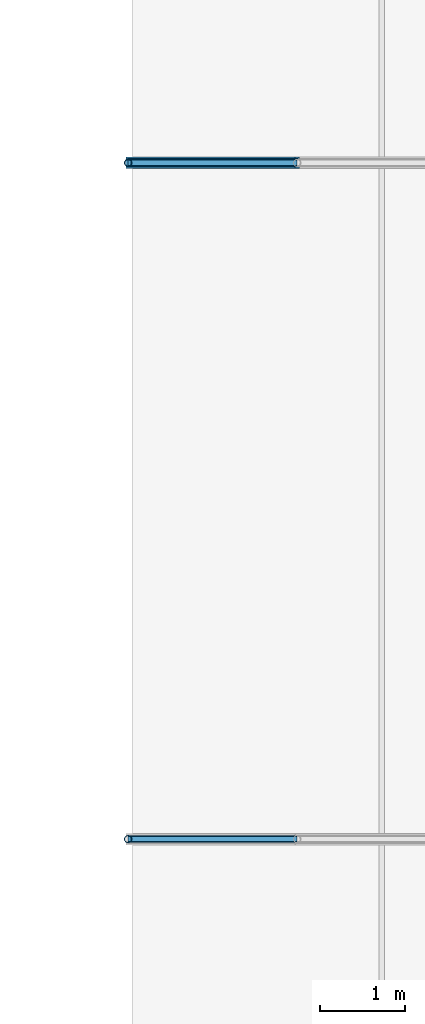
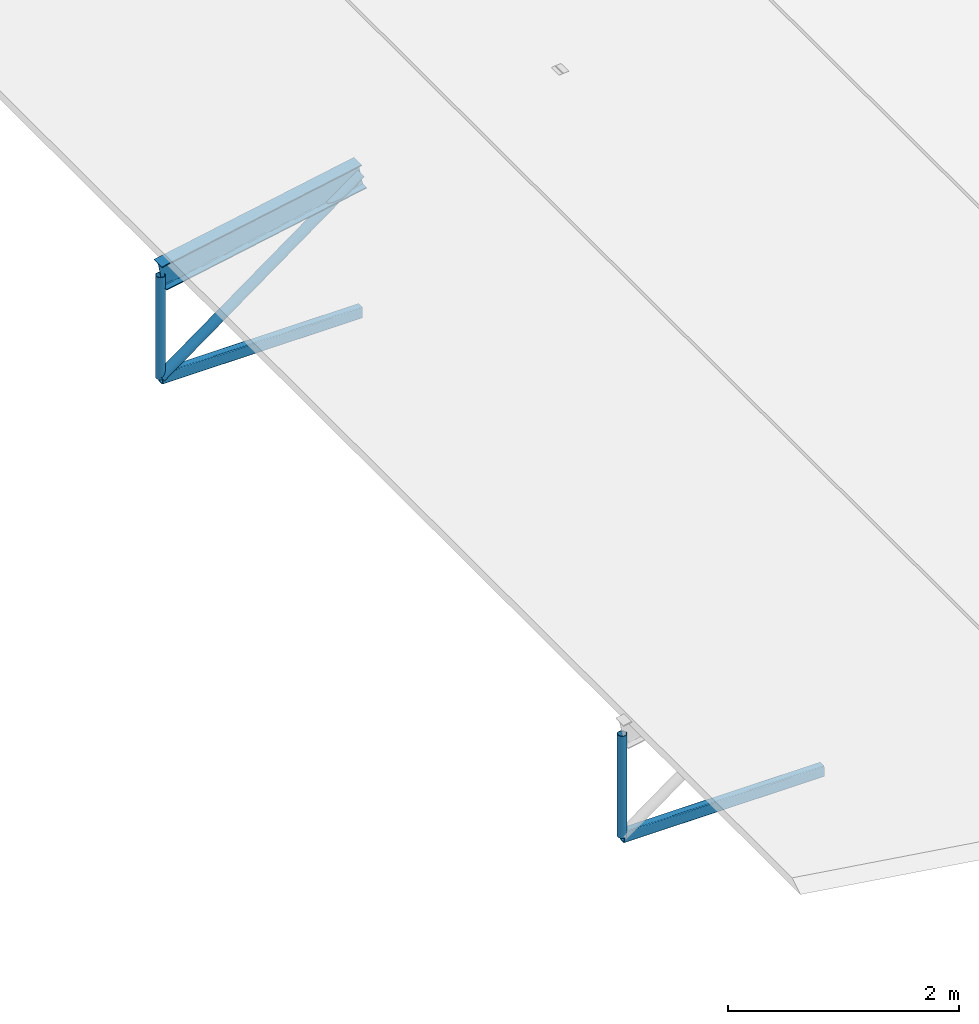
# One storey, part 35 of 54: 6 members.
"""IFC4 building model written with IfcOpenShell, lengths in metres."""

import ifcopenshell
import ifcopenshell.guid

model = None  # the IFC model being written
_history = None  # IfcOwnerHistory: only IFC2X3 demands one
_inside = {}  # id of a spatial element -> (the spatial element, [elements in it])
_under = {}  # id of a project, library or spatial element -> (it, [spatial elements below it])
_declared = {}  # id of a project -> (the project, [libraries it declares])
_typed = {}  # id of a type object -> (the type object, [elements of that type])
_made_of = {}  # id of a material, layer set ... -> (it, [elements and type objects made of it])


def new_model(schema):
    """Start an empty IFC model of exactly this schema.

    Asked for "IFC4X3", IfcOpenShell would pick the latest addendum, in which some entities
    have other attributes; the version numbers below select the first issue.
    IFC2X3 requires an IfcOwnerHistory on every rooted entity: one is made here for all.
    """
    global model, _history
    if schema == "IFC4X3":
        model = ifcopenshell.file(schema_version=(4, 3, 0, 0))
    else:
        model = ifcopenshell.file(schema=schema)
    _inside.clear()
    _under.clear()
    _declared.clear()
    _typed.clear()
    _made_of.clear()
    _history = None
    if model.schema == "IFC2X3":
        org = make("IfcOrganization", Name="unknown")
        user = make(
            "IfcPersonAndOrganization",
            ThePerson=make("IfcPerson", FamilyName="unknown"),
            TheOrganization=org,
        )
        app = make(
            "IfcApplication",
            ApplicationDeveloper=org,
            Version="unknown",
            ApplicationFullName="unknown",
            ApplicationIdentifier="unknown",
        )
        _history = make(
            "IfcOwnerHistory",
            OwningUser=user,
            OwningApplication=app,
            ChangeAction="ADDED",
            CreationDate=0,
        )
    return model


def make(cls, **values):
    """One entity of the class cls with the attributes given. An attribute that is None is left unset."""
    return model.create_entity(
        cls, **{name: value for name, value in values.items() if value is not None}
    )


def rooted(cls, **values):
    """An entity with a GlobalId (a new one), such as an element, a storey or a relation."""
    return make(cls, GlobalId=ifcopenshell.guid.new(), OwnerHistory=_history, **values)


def si_unit(unit_type, name, prefix=None):
    """IfcSIUnit, for example si_unit("LENGTHUNIT", "METRE", prefix="MILLI")."""
    return make("IfcSIUnit", UnitType=unit_type, Prefix=prefix, Name=name)


def derived_unit(unit_type, elements):
    """IfcDerivedUnit: a product of units, each with its exponent."""
    return make(
        "IfcDerivedUnit",
        Elements=[
            make("IfcDerivedUnitElement", Unit=unit, Exponent=power)
            for unit, power in elements
        ],
        UnitType=unit_type,
    )


def assignment(units):
    """IfcUnitAssignment: the units of a project."""
    return None if units is None else make("IfcUnitAssignment", Units=units)


def point(xyz):
    """IfcCartesianPoint."""
    return None if xyz is None else make("IfcCartesianPoint", Coordinates=xyz)


def direction(xyz):
    """IfcDirection."""
    return None if xyz is None else make("IfcDirection", DirectionRatios=xyz)


def frame(location, z_axis=None, x_axis=None):
    """IfcAxis2Placement3D, a coordinate frame: its origin and axes. An axis left out is left unset."""
    return make(
        "IfcAxis2Placement3D",
        Location=point(location),
        Axis=direction(z_axis),
        RefDirection=direction(x_axis),
    )


def frame_2d(location, x_axis=None):
    """IfcAxis2Placement2D, a coordinate frame in the plane: its origin and x axis."""
    return make(
        "IfcAxis2Placement2D", Location=point(location), RefDirection=direction(x_axis)
    )


def origin():
    """The frame at (0, 0, 0) with its axes left unset."""
    return frame((0.0, 0.0, 0.0))


def origin_2d():
    """The frame at (0, 0) in the plane with its x axis left unset."""
    return frame_2d((0.0, 0.0))


def place(relative_to, where):
    """IfcLocalPlacement: puts the frame where relative to a parent placement (None: the world)."""
    return make(
        "IfcLocalPlacement", PlacementRelTo=relative_to, RelativePlacement=where
    )


def context(
    kind, dimensions, precision=None, world=None, true_north=None, identifier=None
):
    """IfcGeometricRepresentationContext, for example the 3D "Model" context."""
    return make(
        "IfcGeometricRepresentationContext",
        ContextIdentifier=identifier,
        ContextType=kind,
        CoordinateSpaceDimension=dimensions,
        Precision=precision,
        WorldCoordinateSystem=world,
        TrueNorth=true_north,
    )


def subcontext(parent, identifier, kind, view, scale=None):
    """IfcGeometricRepresentationSubContext, for example "Body" below "Model"."""
    return make(
        "IfcGeometricRepresentationSubContext",
        ContextIdentifier=identifier,
        ContextType=kind,
        ParentContext=parent,
        TargetScale=scale,
        TargetView=view,
    )


def project(units=None, contexts=None):
    """IfcProject with its units and contexts."""
    return rooted(
        "IfcProject",
        Name="project",
        RepresentationContexts=contexts,
        UnitsInContext=assignment(units),
    )


def spatial(cls, under=None, at=None, **own):
    """A site, building, storey or space (cls), placed at a placement, below another one or the project."""
    s = rooted(cls, ObjectPlacement=at, **own)
    if under is not None:
        _under.setdefault(under.id(), (under, []))[1].append(s)
    return s


def profile(cls, at=None, kind="AREA", **sizes):
    """A parametric profile (cls). Its sizes go by their IFC names, for example OverallWidth=200.0."""
    return make(cls, ProfileType=kind, Position=at, **sizes)


def hollow_rectangle(**sizes):
    """IfcRectangleHollowProfileDef."""
    return profile("IfcRectangleHollowProfileDef", **sizes)


def hollow_circle(**sizes):
    """IfcCircleHollowProfileDef."""
    return profile("IfcCircleHollowProfileDef", **sizes)


def i_section(**sizes):
    """IfcIShapeProfileDef."""
    return profile("IfcIShapeProfileDef", **sizes)


def extrude(swept, where, along, depth):
    """IfcExtrudedAreaSolid: the profile swept, set in the frame where, extruded along a direction by depth."""
    return make(
        "IfcExtrudedAreaSolid",
        SweptArea=swept,
        Position=where,
        ExtrudedDirection=direction(along),
        Depth=depth,
    )


def shape(context_of_items, identifier, shape_type, items):
    """IfcShapeRepresentation: the items that make up one representation, for example the "Body"."""
    return make(
        "IfcShapeRepresentation",
        ContextOfItems=context_of_items,
        RepresentationIdentifier=identifier,
        RepresentationType=shape_type,
        Items=items,
    )


def material(Name=None, Category=None):
    """IfcMaterial."""
    return make("IfcMaterial", Name=Name, Category=Category)


def material_profile(
    of_material, cross_section, Name=None, Category=None, Priority=None
):
    """IfcMaterialProfile: a cross section and its material."""
    return make(
        "IfcMaterialProfile",
        Name=Name,
        Material=of_material,
        Profile=cross_section,
        Priority=Priority,
        Category=Category,
    )


def profile_set(profiles, Name=None, composite=None):
    """IfcMaterialProfileSet."""
    return make(
        "IfcMaterialProfileSet",
        Name=Name,
        MaterialProfiles=profiles,
        CompositeProfile=composite,
    )


def made_of(thing, what):
    """Note that an element or type object is made of a material, layer set ...; save() writes the relation."""
    if what is not None:
        _made_of.setdefault(what.id(), (what, []))[1].append(thing)
    return thing


def type_object(cls, material=None, **own):
    """A type object (cls), such as IfcWallType, which elements share."""
    return made_of(rooted(cls, **own), material)


def element(
    cls,
    number,
    at=None,
    inside=None,
    cuts=None,
    type_object=None,
    material=None,
    context=None,
    identifier="Body",
    shape_type=None,
    held_by="IfcProductDefinitionShape",
    body=None,
    shapes=None,
    **own,
):
    """One element of the class cls, such as IfcWall. Its Tag is "e" and its number.

    at: its placement. inside: the storey or other place that contains it. cuts: it is an
    opening in that element (IfcRelVoidsElement). A single representation is given by context,
    identifier, shape_type and body (its items); several are given by shapes. held_by: the class
    of the entity that holds the representations. save() writes the other relations.
    """
    e = rooted(cls, Tag="e%d" % number, ObjectPlacement=at, **own)
    if body is not None:
        shapes = [shape(context, identifier, shape_type, body)]
    if shapes is not None:
        e.Representation = make(held_by, Representations=shapes)
    if inside is not None:
        _inside.setdefault(inside.id(), (inside, []))[1].append(e)
    if cuts is not None:
        rooted(
            "IfcRelVoidsElement", RelatingBuildingElement=cuts, RelatedOpeningElement=e
        )
    if type_object is not None:
        _typed.setdefault(type_object.id(), (type_object, []))[1].append(e)
    return made_of(e, material)


def aggregate(whole, parts):
    """IfcRelAggregates: a whole, such as a stair, and the parts it consists of."""
    return rooted("IfcRelAggregates", RelatingObject=whole, RelatedObjects=parts)


def save(model, path):
    """Write the relations noted so far, then the file.

    IfcRelAggregates (storeys below a building ...), IfcRelContainedInSpatialStructure (elements
    in a storey), IfcRelDefinesByType, IfcRelAssociatesMaterial and IfcRelDeclares: one each for
    every whole, place, type object, material and project.
    """
    for whole, parts in _under.values():
        aggregate(whole, parts)
    for where, things in _inside.values():
        rooted(
            "IfcRelContainedInSpatialStructure",
            RelatedElements=things,
            RelatingStructure=where,
        )
    for kind, things in _typed.values():
        rooted("IfcRelDefinesByType", RelatedObjects=things, RelatingType=kind)
    for what, things in _made_of.values():
        rooted("IfcRelAssociatesMaterial", RelatedObjects=things, RelatingMaterial=what)
    for by, libraries in _declared.values():
        rooted("IfcRelDeclares", RelatingContext=by, RelatedDefinitions=libraries)
    model.write(path)


model = new_model("IFC4")

# Units and contexts
model_context = context("Model", 3, precision=1e-05, world=origin(), true_north=direction((0.0, 1.0)))
body_context = subcontext(model_context, "Body", "Model", "MODEL_VIEW")
ifc_project = project(units=[si_unit("LENGTHUNIT", "METRE"), si_unit("AREAUNIT", "SQUARE_METRE"), si_unit("VOLUMEUNIT", "CUBIC_METRE"), si_unit("PLANEANGLEUNIT", "RADIAN"), si_unit("MASSUNIT", "GRAM", prefix="KILO"), derived_unit("THERMALTRANSMITTANCEUNIT", [(si_unit("POWERUNIT", "WATT"), 1), (si_unit("LENGTHUNIT", "METRE"), -2), (si_unit("THERMODYNAMICTEMPERATUREUNIT", "KELVIN"), -1)])], contexts=[model_context])

# Site, building, storey
site_placement = place(None, origin())
site = spatial("IfcSite", under=ifc_project, at=site_placement, CompositionType="ELEMENT")
building_placement = place(site_placement, origin())
building = spatial("IfcBuilding", under=site, at=building_placement, Name="Keldorne Ridge Multi-Sports Centre", CompositionType="ELEMENT")
storey_placement = place(building_placement, frame((0.0, 0.0, 22.199951171875)))
storey = spatial("IfcBuildingStorey", under=building, at=storey_placement, Name="ROOF", CompositionType="ELEMENT", Elevation=22.199951171875)

# Members
ifc_material = material(Name="Steel S355", Category="steel")
ifc_material_profile_1 = material_profile(ifc_material, i_section(OverallWidth=0.135009765625, OverallDepth=0.27001953125, WebThickness=0.006591796875, FlangeThickness=0.01025390625, FilletRadius=0.014892578125, at=origin_2d()), Name="IPE 270")
ifc_profile_set_1 = profile_set([ifc_material_profile_1], Name="Steel S355")
member_type_1 = type_object("IfcMemberType", Name="MEM-RF-02", PredefinedType="RAFTER", material=ifc_profile_set_1)
member_1_placement = place(storey_placement, frame((84.0, 82.0, -12.639892578125), z_axis=(0.982435006317, 0.0, 0.186605086649), x_axis=(0.0, 1.0, 0.0)))
element("IfcMember", 1, at=member_1_placement, inside=storey, type_object=member_type_1, Name="Public Passage bowstring arch top chord 10.1", PredefinedType="RAFTER", context=body_context, shape_type="SweptSolid", body=[
    extrude(i_section(OverallWidth=0.135009765625, OverallDepth=0.27001953125, WebThickness=0.006591796875, FlangeThickness=0.01025390625, FilletRadius=0.014892578125, at=origin_2d()), origin(), (0.0, 0.0, 1.0), 2.03564453125),
])
ifc_material_profile_2 = material_profile(ifc_material, hollow_rectangle(XDim=0.080078125, YDim=0.1201171875, WallThickness=0.008056640625, InnerFilletRadius=0.008056640625, OuterFilletRadius=0.01611328125, at=origin_2d()), Name="RHS 120x80x8")
ifc_profile_set_2 = profile_set([ifc_material_profile_2], Name="Steel S355")
member_type_2 = type_object("IfcMemberType", Name="MEM-TC-07", PredefinedType="CHORD", material=ifc_profile_set_2)
for number, where, z_axis, x_axis, name in (
    (2, (84.0, 74.0, -13.719970703125), (1.0, 0.0, 0.0), (0.0, 1.0, 0.0), "Public Passage bowstring tie chord 09.1"),
    (3, (84.0, 82.0, -13.719970703125), (1.0, 0.0, 0.0), (0.0, 1.0, 0.0), "Public Passage bowstring tie chord 10.1"),
):
    element("IfcMember", number, at=place(storey_placement, frame(where, z_axis=z_axis, x_axis=x_axis)), inside=storey, type_object=member_type_2, Name=name, PredefinedType="CHORD", context=body_context, shape_type="SweptSolid", body=[
        extrude(hollow_rectangle(XDim=0.080078125, YDim=0.1201171875, WallThickness=0.008056640625, InnerFilletRadius=0.008056640625, OuterFilletRadius=0.01611328125, at=origin_2d()), origin(), (0.0, 0.0, 1.0), 2.0),
    ])
ifc_material_profile_3 = material_profile(ifc_material, hollow_circle(Radius=0.05078125, WallThickness=0.00634765625, at=origin_2d()), Name="CHS 101.6x6.3")
ifc_profile_set_3 = profile_set([ifc_material_profile_3], Name="Steel S355")
member_type_3 = type_object("IfcMemberType", Name="MEM-TD-05", PredefinedType="BRACE", material=ifc_profile_set_3)
member_2_placement = place(storey_placement, frame((84.0, 82.0, -13.719970703125), z_axis=(0.8076945033, 0.0, 0.589601212125), x_axis=(0.0, 1.0, 0.0)))
element("IfcMember", 4, at=member_2_placement, inside=storey, type_object=member_type_3, Name="Public Passage bowstring web diagonal 10.1", PredefinedType="BRACE", context=body_context, shape_type="SweptSolid", body=[
    extrude(hollow_circle(Radius=0.05078125, WallThickness=0.00634765625, at=origin_2d()), origin(), (0.0, 0.0, 1.0), 2.47607421875),
])
ifc_material_profile_4 = material_profile(ifc_material, hollow_circle(Radius=0.04443359375, WallThickness=0.0048828125, at=origin_2d()), Name="CHS 88.9x5")
ifc_profile_set_4 = profile_set([ifc_material_profile_4], Name="Steel S355")
member_type_4 = type_object("IfcMemberType", Name="MEM-TV-07", PredefinedType="STRUT", material=ifc_profile_set_4)
for number, where, z_axis, x_axis, name in (
    (5, (84.0, 74.0, -13.719970703125), (0.0, 0.0, 1.0), (1.0, 0.0, 0.0), "Public Passage bowstring hanger 09.1"),
    (6, (84.0, 82.0, -13.719970703125), (0.0, 0.0, 1.0), (1.0, 0.0, 0.0), "Public Passage bowstring hanger 10.1"),
):
    element("IfcMember", number, at=place(storey_placement, frame(where, z_axis=z_axis, x_axis=x_axis)), inside=storey, type_object=member_type_4, Name=name, PredefinedType="STRUT", context=body_context, shape_type="SweptSolid", body=[
        extrude(hollow_circle(Radius=0.04443359375, WallThickness=0.0048828125, at=origin_2d()), origin(), (0.0, 0.0, 1.0), 1.080078125),
    ])

save(model, "model.ifc")
